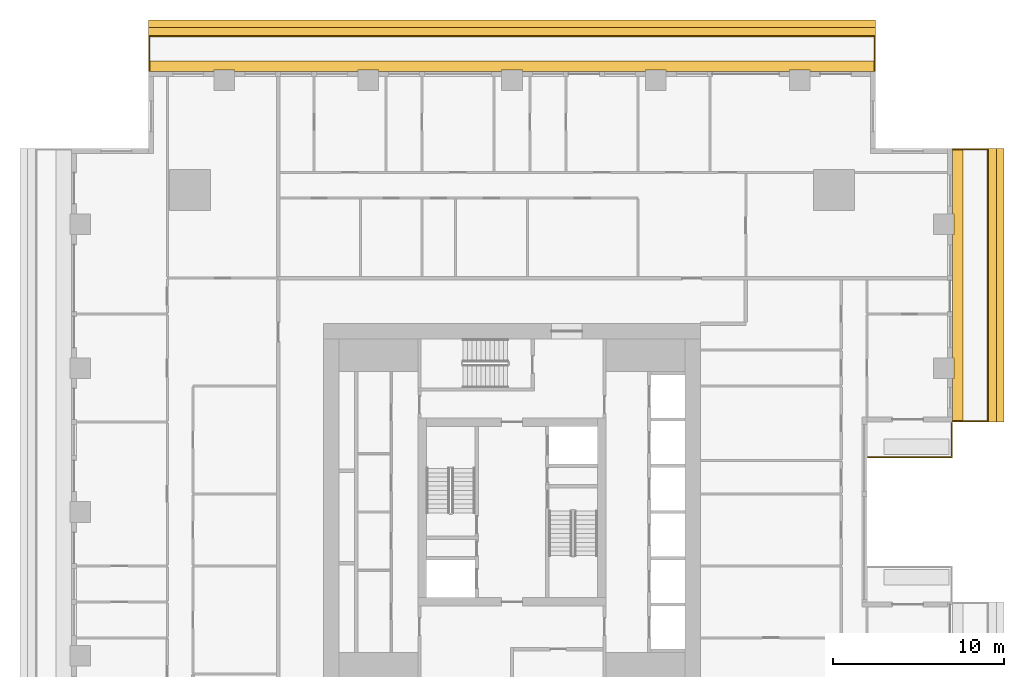
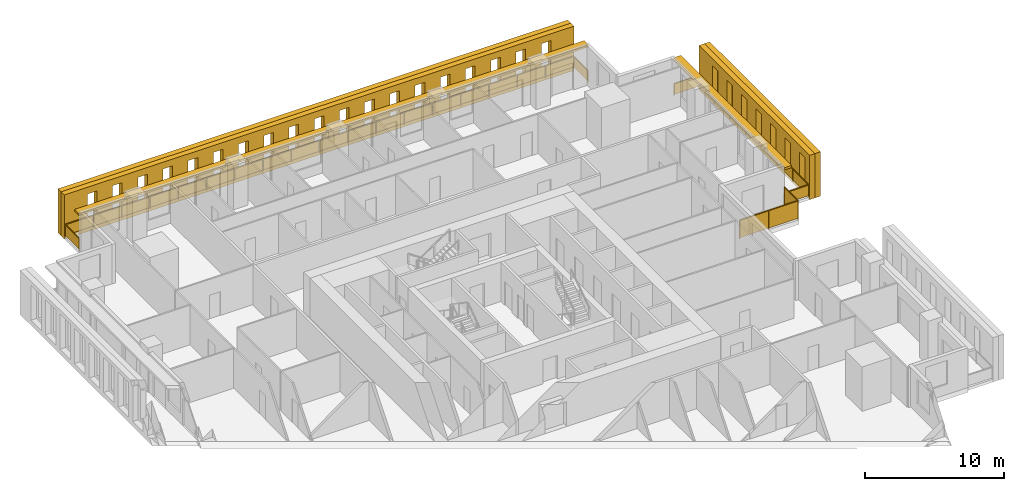
# One storey, part 15 of 15: 6 shading devices, 3 railings.
"""IFC4 building model written with IfcOpenShell, lengths in metres."""

from ifc_helpers import new_model, si_unit, direction, frame, origin, origin_2d, place, context, subcontext, project, spatial, polyline, rectangle, outline, extrude, material, layer, layer_set, type_object, element, save


model = new_model("IFC4")

# Units and contexts
model_context = context("Model", 3, precision=1e-05, world=origin(), true_north=direction((0.0, 1.0)))
body_context = subcontext(model_context, "Body", "Model", "MODEL_VIEW")
ifc_project = project(units=[si_unit("LENGTHUNIT", "METRE"), si_unit("AREAUNIT", "SQUARE_METRE"), si_unit("VOLUMEUNIT", "CUBIC_METRE"), si_unit("PLANEANGLEUNIT", "RADIAN"), si_unit("MASSUNIT", "GRAM", prefix="KILO")], contexts=[model_context])

# Site, building, storey
site_placement = place(None, origin())
site = spatial("IfcSite", under=ifc_project, at=site_placement, CompositionType="ELEMENT")
building_placement = place(site_placement, origin())
building = spatial("IfcBuilding", under=site, at=building_placement, Name="Khepri Terraces", CompositionType="ELEMENT")
storey_placement = place(building_placement, frame((0.0, 0.0, 196.199951171875)))
storey = spatial("IfcBuildingStorey", under=building, at=storey_placement, Name="L46", CompositionType="ELEMENT", Elevation=196.199951171875)

# Railings
ifc_material_1 = material(Name="Stainless steel grade 316", Category="steel")
railing_type_1 = type_object("IfcRailingType", Name="GRD-BAL-1100", PredefinedType="GUARDRAIL", material=ifc_material_1)
railing_1_placement = place(storey_placement, frame((25.719970703125, 5.300048828125, 0.0)))
element("IfcRailing", 1, at=railing_1_placement, inside=storey, type_object=railing_type_1, Name="Balcony guard L46 E", PredefinedType="GUARDRAIL", context=body_context, shape_type="SweptSolid", body=[
    extrude(rectangle(XDim=0.050048828125, YDim=0.06005859375, at=origin_2d()), frame((0.0, 0.0, 1.070068359375), z_axis=(1.0, 0.0, 0.0), x_axis=(0.0, 1.0, 0.0)), (0.0, 0.0, 1.0), 2.050048828125),
    extrude(rectangle(XDim=2.0, YDim=0.011962890625, at=origin_2d()), frame((1.02490234375, 0.0, 0.10009765625), z_axis=(0.0, 0.0, 1.0), x_axis=(1.0, 0.0, 0.0)), (0.0, 0.0, 1.0), 0.93994140625),
    extrude(rectangle(XDim=0.050048828125, YDim=0.06005859375, at=origin_2d()), frame((2.050048828125, 0.0, 1.070068359375), z_axis=(0.0, 1.0, 0.0), x_axis=(-1.0, 0.0, 0.0)), (0.0, 0.0, 1.0), 15.869873046875),
    extrude(rectangle(XDim=2.217041015625, YDim=0.011962890625, at=origin_2d()), frame((2.050048828125, 1.133544921875, 0.10009765625), z_axis=(0.0, 0.0, 1.0), x_axis=(0.0, 1.0, 0.0)), (0.0, 0.0, 1.0), 0.93994140625),
    extrude(rectangle(XDim=2.217041015625, YDim=0.011962890625, at=origin_2d()), frame((2.050048828125, 3.400634765625, 0.10009765625), z_axis=(0.0, 0.0, 1.0), x_axis=(0.0, 1.0, 0.0)), (0.0, 0.0, 1.0), 0.93994140625),
    extrude(rectangle(XDim=2.217041015625, YDim=0.011962890625, at=origin_2d()), frame((2.050048828125, 5.667724609375, 0.10009765625), z_axis=(0.0, 0.0, 1.0), x_axis=(0.0, 1.0, 0.0)), (0.0, 0.0, 1.0), 0.93994140625),
    extrude(rectangle(XDim=2.217041015625, YDim=0.011962890625, at=origin_2d()), frame((2.050048828125, 7.93505859375, 0.10009765625), z_axis=(0.0, 0.0, 1.0), x_axis=(0.0, 1.0, 0.0)), (0.0, 0.0, 1.0), 0.93994140625),
    extrude(rectangle(XDim=2.217041015625, YDim=0.011962890625, at=origin_2d()), frame((2.050048828125, 10.2021484375, 0.10009765625), z_axis=(0.0, 0.0, 1.0), x_axis=(0.0, 1.0, 0.0)), (0.0, 0.0, 1.0), 0.93994140625),
    extrude(rectangle(XDim=2.217041015625, YDim=0.011962890625, at=origin_2d()), frame((2.050048828125, 12.46923828125, 0.10009765625), z_axis=(0.0, 0.0, 1.0), x_axis=(0.0, 1.0, 0.0)), (0.0, 0.0, 1.0), 0.93994140625),
    extrude(rectangle(XDim=2.217041015625, YDim=0.011962890625, at=origin_2d()), frame((2.050048828125, 14.736328125, 0.10009765625), z_axis=(0.0, 0.0, 1.0), x_axis=(0.0, 1.0, 0.0)), (0.0, 0.0, 1.0), 0.93994140625),
    extrude(rectangle(XDim=0.050048828125, YDim=0.06005859375, at=origin_2d()), frame((2.050048828125, 15.869873046875, 1.070068359375), z_axis=(-1.0, 0.0, 0.0), x_axis=(0.0, -1.0, 0.0)), (0.0, 0.0, 1.0), 2.050048828125),
    extrude(rectangle(XDim=2.0, YDim=0.011962890625, at=origin_2d()), frame((1.02490234375, 15.869873046875, 0.10009765625), z_axis=(0.0, 0.0, 1.0), x_axis=(-1.0, 0.0, 0.0)), (0.0, 0.0, 1.0), 0.93994140625),
    extrude(rectangle(XDim=0.050048828125, YDim=0.050048828125, at=origin_2d()), origin(), (0.0, 0.0, 1.0), 1.0400390625),
    extrude(rectangle(XDim=0.050048828125, YDim=0.050048828125, at=origin_2d()), frame((2.050048828125, 0.0, 0.0)), (0.0, 0.0, 1.0), 1.0400390625),
    extrude(rectangle(XDim=0.050048828125, YDim=0.050048828125, at=origin_2d()), frame((2.050048828125, 2.26708984375, 0.0)), (0.0, 0.0, 1.0), 1.0400390625),
    extrude(rectangle(XDim=0.050048828125, YDim=0.050048828125, at=origin_2d()), frame((2.050048828125, 4.5341796875, 0.0)), (0.0, 0.0, 1.0), 1.0400390625),
    extrude(rectangle(XDim=0.050048828125, YDim=0.050048828125, at=origin_2d()), frame((2.050048828125, 6.80126953125, 0.0)), (0.0, 0.0, 1.0), 1.0400390625),
    extrude(rectangle(XDim=0.050048828125, YDim=0.050048828125, at=origin_2d()), frame((2.050048828125, 9.068603515625, 0.0)), (0.0, 0.0, 1.0), 1.0400390625),
    extrude(rectangle(XDim=0.050048828125, YDim=0.050048828125, at=origin_2d()), frame((2.050048828125, 11.335693359375, 0.0)), (0.0, 0.0, 1.0), 1.0400390625),
    extrude(rectangle(XDim=0.050048828125, YDim=0.050048828125, at=origin_2d()), frame((2.050048828125, 13.602783203125, 0.0)), (0.0, 0.0, 1.0), 1.0400390625),
    extrude(rectangle(XDim=0.050048828125, YDim=0.050048828125, at=origin_2d()), frame((2.050048828125, 15.869873046875, 0.0)), (0.0, 0.0, 1.0), 1.0400390625),
    extrude(rectangle(XDim=0.050048828125, YDim=0.050048828125, at=origin_2d()), frame((0.0, 15.869873046875, 0.0)), (0.0, 0.0, 1.0), 1.0400390625),
])
railing_2_placement = place(storey_placement, frame((21.169921875, 25.719970703125, 0.0)))
element("IfcRailing", 2, at=railing_2_placement, inside=storey, type_object=railing_type_1, Name="Balcony guard L46 N", PredefinedType="GUARDRAIL", context=body_context, shape_type="SweptSolid", body=[
    extrude(rectangle(XDim=0.050048828125, YDim=0.06005859375, at=origin_2d()), frame((0.0, 0.0, 1.070068359375), z_axis=(0.0, 1.0, 0.0), x_axis=(-1.0, 0.0, 0.0)), (0.0, 0.0, 1.0), 2.050048828125),
    extrude(rectangle(XDim=2.0, YDim=0.011962890625, at=origin_2d()), frame((0.0, 1.02490234375, 0.10009765625), z_axis=(0.0, 0.0, 1.0), x_axis=(0.0, 1.0, 0.0)), (0.0, 0.0, 1.0), 0.93994140625),
    extrude(rectangle(XDim=0.050048828125, YDim=0.06005859375, at=origin_2d()), frame((0.0, 2.050048828125, 1.070068359375), z_axis=(-1.0, 0.0, 0.0), x_axis=(0.0, -1.0, 0.0)), (0.0, 0.0, 1.0), 42.33984375),
    extrude(rectangle(XDim=2.30224609375, YDim=0.011962890625, at=origin_2d()), frame((-1.176025390625, 2.050048828125, 0.10009765625), z_axis=(0.0, 0.0, 1.0), x_axis=(-1.0, 0.0, 0.0)), (0.0, 0.0, 1.0), 0.93994140625),
    extrude(rectangle(XDim=2.30224609375, YDim=0.011962890625, at=origin_2d()), frame((-3.5283203125, 2.050048828125, 0.10009765625), z_axis=(0.0, 0.0, 1.0), x_axis=(-1.0, 0.0, 0.0)), (0.0, 0.0, 1.0), 0.93994140625),
    extrude(rectangle(XDim=2.30224609375, YDim=0.011962890625, at=origin_2d()), frame((-5.880615234375, 2.050048828125, 0.10009765625), z_axis=(0.0, 0.0, 1.0), x_axis=(-1.0, 0.0, 0.0)), (0.0, 0.0, 1.0), 0.93994140625),
    extrude(rectangle(XDim=2.30224609375, YDim=0.011962890625, at=origin_2d()), frame((-8.232666015625, 2.050048828125, 0.10009765625), z_axis=(0.0, 0.0, 1.0), x_axis=(-1.0, 0.0, 0.0)), (0.0, 0.0, 1.0), 0.93994140625),
    extrude(rectangle(XDim=2.30224609375, YDim=0.011962890625, at=origin_2d()), frame((-10.5849609375, 2.050048828125, 0.10009765625), z_axis=(0.0, 0.0, 1.0), x_axis=(-1.0, 0.0, 0.0)), (0.0, 0.0, 1.0), 0.93994140625),
    extrude(rectangle(XDim=2.30224609375, YDim=0.011962890625, at=origin_2d()), frame((-12.937255859375, 2.050048828125, 0.10009765625), z_axis=(0.0, 0.0, 1.0), x_axis=(-1.0, 0.0, 0.0)), (0.0, 0.0, 1.0), 0.93994140625),
    extrude(rectangle(XDim=2.30224609375, YDim=0.011962890625, at=origin_2d()), frame((-15.289306640625, 2.050048828125, 0.10009765625), z_axis=(0.0, 0.0, 1.0), x_axis=(-1.0, 0.0, 0.0)), (0.0, 0.0, 1.0), 0.93994140625),
    extrude(rectangle(XDim=2.30224609375, YDim=0.011962890625, at=origin_2d()), frame((-17.6416015625, 2.050048828125, 0.10009765625), z_axis=(0.0, 0.0, 1.0), x_axis=(-1.0, 0.0, 0.0)), (0.0, 0.0, 1.0), 0.93994140625),
    extrude(rectangle(XDim=2.30224609375, YDim=0.011962890625, at=origin_2d()), frame((-19.993896484375, 2.050048828125, 0.10009765625), z_axis=(0.0, 0.0, 1.0), x_axis=(-1.0, 0.0, 0.0)), (0.0, 0.0, 1.0), 0.93994140625),
    extrude(rectangle(XDim=2.30224609375, YDim=0.011962890625, at=origin_2d()), frame((-22.345947265625, 2.050048828125, 0.10009765625), z_axis=(0.0, 0.0, 1.0), x_axis=(-1.0, 0.0, 0.0)), (0.0, 0.0, 1.0), 0.93994140625),
    extrude(rectangle(XDim=2.30224609375, YDim=0.011962890625, at=origin_2d()), frame((-24.6982421875, 2.050048828125, 0.10009765625), z_axis=(0.0, 0.0, 1.0), x_axis=(-1.0, 0.0, 0.0)), (0.0, 0.0, 1.0), 0.93994140625),
    extrude(rectangle(XDim=2.30224609375, YDim=0.011962890625, at=origin_2d()), frame((-27.050537109375, 2.050048828125, 0.10009765625), z_axis=(0.0, 0.0, 1.0), x_axis=(-1.0, 0.0, 0.0)), (0.0, 0.0, 1.0), 0.93994140625),
    extrude(rectangle(XDim=2.30224609375, YDim=0.011962890625, at=origin_2d()), frame((-29.402587890625, 2.050048828125, 0.10009765625), z_axis=(0.0, 0.0, 1.0), x_axis=(-1.0, 0.0, 0.0)), (0.0, 0.0, 1.0), 0.93994140625),
    extrude(rectangle(XDim=2.30224609375, YDim=0.011962890625, at=origin_2d()), frame((-31.7548828125, 2.050048828125, 0.10009765625), z_axis=(0.0, 0.0, 1.0), x_axis=(-1.0, 0.0, 0.0)), (0.0, 0.0, 1.0), 0.93994140625),
    extrude(rectangle(XDim=2.30224609375, YDim=0.011962890625, at=origin_2d()), frame((-34.107177734375, 2.050048828125, 0.10009765625), z_axis=(0.0, 0.0, 1.0), x_axis=(-1.0, 0.0, 0.0)), (0.0, 0.0, 1.0), 0.93994140625),
    extrude(rectangle(XDim=2.30224609375, YDim=0.011962890625, at=origin_2d()), frame((-36.459228515625, 2.050048828125, 0.10009765625), z_axis=(0.0, 0.0, 1.0), x_axis=(-1.0, 0.0, 0.0)), (0.0, 0.0, 1.0), 0.93994140625),
    extrude(rectangle(XDim=2.30224609375, YDim=0.011962890625, at=origin_2d()), frame((-38.8115234375, 2.050048828125, 0.10009765625), z_axis=(0.0, 0.0, 1.0), x_axis=(-1.0, 0.0, 0.0)), (0.0, 0.0, 1.0), 0.93994140625),
    extrude(rectangle(XDim=2.30224609375, YDim=0.011962890625, at=origin_2d()), frame((-41.163818359375, 2.050048828125, 0.10009765625), z_axis=(0.0, 0.0, 1.0), x_axis=(-1.0, 0.0, 0.0)), (0.0, 0.0, 1.0), 0.93994140625),
    extrude(rectangle(XDim=0.050048828125, YDim=0.06005859375, at=origin_2d()), frame((-42.33984375, 2.050048828125, 1.070068359375), z_axis=(0.0, -1.0, 0.0), x_axis=(1.0, 0.0, 0.0)), (0.0, 0.0, 1.0), 2.050048828125),
    extrude(rectangle(XDim=2.0, YDim=0.011962890625, at=origin_2d()), frame((-42.33984375, 1.02490234375, 0.10009765625), z_axis=(0.0, 0.0, 1.0), x_axis=(0.0, -1.0, 0.0)), (0.0, 0.0, 1.0), 0.93994140625),
    extrude(rectangle(XDim=0.050048828125, YDim=0.050048828125, at=origin_2d()), origin(), (0.0, 0.0, 1.0), 1.0400390625),
    extrude(rectangle(XDim=0.050048828125, YDim=0.050048828125, at=origin_2d()), frame((0.0, 2.050048828125, 0.0)), (0.0, 0.0, 1.0), 1.0400390625),
    extrude(rectangle(XDim=0.050048828125, YDim=0.050048828125, at=origin_2d()), frame((-2.352294921875, 2.050048828125, 0.0)), (0.0, 0.0, 1.0), 1.0400390625),
    extrude(rectangle(XDim=0.050048828125, YDim=0.050048828125, at=origin_2d()), frame((-4.704345703125, 2.050048828125, 0.0)), (0.0, 0.0, 1.0), 1.0400390625),
    extrude(rectangle(XDim=0.050048828125, YDim=0.050048828125, at=origin_2d()), frame((-7.056640625, 2.050048828125, 0.0)), (0.0, 0.0, 1.0), 1.0400390625),
    extrude(rectangle(XDim=0.050048828125, YDim=0.050048828125, at=origin_2d()), frame((-9.408935546875, 2.050048828125, 0.0)), (0.0, 0.0, 1.0), 1.0400390625),
    extrude(rectangle(XDim=0.050048828125, YDim=0.050048828125, at=origin_2d()), frame((-11.760986328125, 2.050048828125, 0.0)), (0.0, 0.0, 1.0), 1.0400390625),
    extrude(rectangle(XDim=0.050048828125, YDim=0.050048828125, at=origin_2d()), frame((-14.11328125, 2.050048828125, 0.0)), (0.0, 0.0, 1.0), 1.0400390625),
    extrude(rectangle(XDim=0.050048828125, YDim=0.050048828125, at=origin_2d()), frame((-16.465576171875, 2.050048828125, 0.0)), (0.0, 0.0, 1.0), 1.0400390625),
    extrude(rectangle(XDim=0.050048828125, YDim=0.050048828125, at=origin_2d()), frame((-18.817626953125, 2.050048828125, 0.0)), (0.0, 0.0, 1.0), 1.0400390625),
    extrude(rectangle(XDim=0.050048828125, YDim=0.050048828125, at=origin_2d()), frame((-21.169921875, 2.050048828125, 0.0)), (0.0, 0.0, 1.0), 1.0400390625),
    extrude(rectangle(XDim=0.050048828125, YDim=0.050048828125, at=origin_2d()), frame((-23.522216796875, 2.050048828125, 0.0)), (0.0, 0.0, 1.0), 1.0400390625),
    extrude(rectangle(XDim=0.050048828125, YDim=0.050048828125, at=origin_2d()), frame((-25.874267578125, 2.050048828125, 0.0)), (0.0, 0.0, 1.0), 1.0400390625),
    extrude(rectangle(XDim=0.050048828125, YDim=0.050048828125, at=origin_2d()), frame((-28.2265625, 2.050048828125, 0.0)), (0.0, 0.0, 1.0), 1.0400390625),
    extrude(rectangle(XDim=0.050048828125, YDim=0.050048828125, at=origin_2d()), frame((-30.578857421875, 2.050048828125, 0.0)), (0.0, 0.0, 1.0), 1.0400390625),
    extrude(rectangle(XDim=0.050048828125, YDim=0.050048828125, at=origin_2d()), frame((-32.930908203125, 2.050048828125, 0.0)), (0.0, 0.0, 1.0), 1.0400390625),
    extrude(rectangle(XDim=0.050048828125, YDim=0.050048828125, at=origin_2d()), frame((-35.283203125, 2.050048828125, 0.0)), (0.0, 0.0, 1.0), 1.0400390625),
    extrude(rectangle(XDim=0.050048828125, YDim=0.050048828125, at=origin_2d()), frame((-37.635498046875, 2.050048828125, 0.0)), (0.0, 0.0, 1.0), 1.0400390625),
    extrude(rectangle(XDim=0.050048828125, YDim=0.050048828125, at=origin_2d()), frame((-39.987548828125, 2.050048828125, 0.0)), (0.0, 0.0, 1.0), 1.0400390625),
    extrude(rectangle(XDim=0.050048828125, YDim=0.050048828125, at=origin_2d()), frame((-42.33984375, 2.050048828125, 0.0)), (0.0, 0.0, 1.0), 1.0400390625),
    extrude(rectangle(XDim=0.050048828125, YDim=0.050048828125, at=origin_2d()), frame((-42.33984375, 0.0, 0.0)), (0.0, 0.0, 1.0), 1.0400390625),
])
railing_type_2 = type_object("IfcRailingType", Name="GRD-TERR-1700", PredefinedType="GUARDRAIL", material=ifc_material_1)
railing_3_placement = place(storey_placement, frame((25.669921875, 5.179931640625, 0.0)))
element("IfcRailing", 3, at=railing_3_placement, inside=storey, type_object=railing_type_2, Name="Terrace guard L46", PredefinedType="GUARDRAIL", context=body_context, shape_type="SweptSolid", body=[
    extrude(rectangle(XDim=0.050048828125, YDim=0.06005859375, at=origin_2d()), frame((0.0, 0.0, 1.669921875), z_axis=(0.0, -1.0, 0.0), x_axis=(1.0, 0.0, 0.0)), (0.0, 0.0, 1.0), 1.97998046875),
    extrude(rectangle(XDim=1.929931640625, YDim=0.011962890625, at=origin_2d()), frame((0.0, -0.989990234375, 0.10009765625), z_axis=(0.0, 0.0, 1.0), x_axis=(0.0, -1.0, 0.0)), (0.0, 0.0, 1.0), 1.539794921875),
    extrude(rectangle(XDim=0.050048828125, YDim=0.06005859375, at=origin_2d()), frame((0.0, -1.97998046875, 1.669921875), z_axis=(-1.0, 0.0, 0.0), x_axis=(0.0, -1.0, 0.0)), (0.0, 0.0, 1.0), 4.8798828125),
    extrude(rectangle(XDim=2.389892578125, YDim=0.011962890625, at=origin_2d()), frame((-1.219970703125, -1.97998046875, 0.10009765625), z_axis=(0.0, 0.0, 1.0), x_axis=(-1.0, 0.0, 0.0)), (0.0, 0.0, 1.0), 1.539794921875),
    extrude(rectangle(XDim=2.389892578125, YDim=0.011962890625, at=origin_2d()), frame((-3.659912109375, -1.97998046875, 0.10009765625), z_axis=(0.0, 0.0, 1.0), x_axis=(-1.0, 0.0, 0.0)), (0.0, 0.0, 1.0), 1.539794921875),
    extrude(rectangle(XDim=0.050048828125, YDim=0.050048828125, at=origin_2d()), origin(), (0.0, 0.0, 1.0), 1.639892578125),
    extrude(rectangle(XDim=0.050048828125, YDim=0.050048828125, at=origin_2d()), frame((0.0, -1.97998046875, 0.0)), (0.0, 0.0, 1.0), 1.639892578125),
    extrude(rectangle(XDim=0.050048828125, YDim=0.050048828125, at=origin_2d()), frame((-2.43994140625, -1.97998046875, 0.0)), (0.0, 0.0, 1.0), 1.639892578125),
    extrude(rectangle(XDim=0.050048828125, YDim=0.050048828125, at=origin_2d()), frame((-4.8798828125, -1.97998046875, 0.0)), (0.0, 0.0, 1.0), 1.639892578125),
])

# Shading devices
ifc_material_2 = material(Name="Precast concrete C50/60 warm stone", Category="masonry")
shading_device_type_1 = type_object("IfcShadingDeviceType", Name="SCR-CELL-INNER-450", PredefinedType="USERDEFINED", material=ifc_material_2)
shading_device_1_placement = place(storey_placement, frame((27.820068359375, 5.25, -0.25), z_axis=(1.0, 0.0, 0.0), x_axis=(0.0, 1.0, 0.0)))
element("IfcShadingDevice", 4, at=shading_device_1_placement, inside=storey, type_object=shading_device_type_1, Name="Cell screen L46 E in", ObjectType="SCREEN", PredefinedType="USERDEFINED", context=body_context, shape_type="SweptSolid", body=[
    extrude(outline(polyline([(0.0, 0.0), (15.969970703125, 0.0), (15.969970703125, 3.89990234375), (0.0, 3.89990234375), (0.0, 0.0)]), holes=[polyline([(0.6484375, 0.699951171875), (1.45166015625, 0.699951171875), (1.45166015625, 3.300048828125), (0.6484375, 3.300048828125), (0.6484375, 0.699951171875)]), polyline([(2.748291015625, 0.699951171875), (3.551513671875, 0.699951171875), (3.551513671875, 3.300048828125), (2.748291015625, 3.300048828125), (2.748291015625, 0.699951171875)]), polyline([(4.848388671875, 0.699951171875), (5.651611328125, 0.699951171875), (5.651611328125, 3.300048828125), (4.848388671875, 3.300048828125), (4.848388671875, 0.699951171875)]), polyline([(6.948486328125, 0.699951171875), (7.751708984375, 0.699951171875), (7.751708984375, 3.300048828125), (6.948486328125, 3.300048828125), (6.948486328125, 0.699951171875)]), polyline([(9.04833984375, 0.699951171875), (9.8515625, 0.699951171875), (9.8515625, 3.300048828125), (9.04833984375, 3.300048828125), (9.04833984375, 0.699951171875)]), polyline([(11.1484375, 0.699951171875), (11.95166015625, 0.699951171875), (11.95166015625, 3.300048828125), (11.1484375, 3.300048828125), (11.1484375, 0.699951171875)]), polyline([(13.248291015625, 0.699951171875), (14.051513671875, 0.699951171875), (14.051513671875, 3.300048828125), (13.248291015625, 3.300048828125), (13.248291015625, 0.699951171875)])]), origin(), (0.0, 0.0, 1.0), 0.449951171875),
])
shading_device_2_placement = place(storey_placement, frame((21.219970703125, 27.820068359375, -0.25), z_axis=(0.0, 1.0, 0.0), x_axis=(-1.0, 0.0, 0.0)))
element("IfcShadingDevice", 5, at=shading_device_2_placement, inside=storey, type_object=shading_device_type_1, Name="Cell screen L46 N in", ObjectType="SCREEN", PredefinedType="USERDEFINED", context=body_context, shape_type="SweptSolid", body=[
    extrude(outline(polyline([(0.0, 0.0), (42.43994140625, 0.0), (42.43994140625, 3.89990234375), (0.0, 3.89990234375), (0.0, 0.0)]), holes=[polyline([(1.91845703125, 0.699951171875), (2.7216796875, 0.699951171875), (2.7216796875, 3.300048828125), (1.91845703125, 3.300048828125), (1.91845703125, 0.699951171875)]), polyline([(4.018310546875, 0.699951171875), (4.821533203125, 0.699951171875), (4.821533203125, 3.300048828125), (4.018310546875, 3.300048828125), (4.018310546875, 0.699951171875)]), polyline([(6.118408203125, 0.699951171875), (6.921630859375, 0.699951171875), (6.921630859375, 3.300048828125), (6.118408203125, 3.300048828125), (6.118408203125, 0.699951171875)]), polyline([(8.218505859375, 0.699951171875), (9.021484375, 0.699951171875), (9.021484375, 3.300048828125), (8.218505859375, 3.300048828125), (8.218505859375, 0.699951171875)]), polyline([(10.318359375, 0.699951171875), (11.12158203125, 0.699951171875), (11.12158203125, 3.300048828125), (10.318359375, 3.300048828125), (10.318359375, 0.699951171875)]), polyline([(12.41845703125, 0.699951171875), (13.2216796875, 0.699951171875), (13.2216796875, 3.300048828125), (12.41845703125, 3.300048828125), (12.41845703125, 0.699951171875)]), polyline([(14.518310546875, 0.699951171875), (15.321533203125, 0.699951171875), (15.321533203125, 3.300048828125), (14.518310546875, 3.300048828125), (14.518310546875, 0.699951171875)]), polyline([(16.618408203125, 0.699951171875), (17.421630859375, 0.699951171875), (17.421630859375, 3.300048828125), (16.618408203125, 3.300048828125), (16.618408203125, 0.699951171875)]), polyline([(18.718505859375, 0.699951171875), (19.521484375, 0.699951171875), (19.521484375, 3.300048828125), (18.718505859375, 3.300048828125), (18.718505859375, 0.699951171875)]), polyline([(20.818359375, 0.699951171875), (21.62158203125, 0.699951171875), (21.62158203125, 3.300048828125), (20.818359375, 3.300048828125), (20.818359375, 0.699951171875)]), polyline([(22.91845703125, 0.699951171875), (23.7216796875, 0.699951171875), (23.7216796875, 3.300048828125), (22.91845703125, 3.300048828125), (22.91845703125, 0.699951171875)]), polyline([(25.018310546875, 0.699951171875), (25.821533203125, 0.699951171875), (25.821533203125, 3.300048828125), (25.018310546875, 3.300048828125), (25.018310546875, 0.699951171875)]), polyline([(27.118408203125, 0.699951171875), (27.921630859375, 0.699951171875), (27.921630859375, 3.300048828125), (27.118408203125, 3.300048828125), (27.118408203125, 0.699951171875)]), polyline([(29.218505859375, 0.699951171875), (30.021484375, 0.699951171875), (30.021484375, 3.300048828125), (29.218505859375, 3.300048828125), (29.218505859375, 0.699951171875)]), polyline([(31.318359375, 0.699951171875), (32.12158203125, 0.699951171875), (32.12158203125, 3.300048828125), (31.318359375, 3.300048828125), (31.318359375, 0.699951171875)]), polyline([(33.41845703125, 0.699951171875), (34.2216796875, 0.699951171875), (34.2216796875, 3.300048828125), (33.41845703125, 3.300048828125), (33.41845703125, 0.699951171875)]), polyline([(35.518310546875, 0.699951171875), (36.321533203125, 0.699951171875), (36.321533203125, 3.300048828125), (35.518310546875, 3.300048828125), (35.518310546875, 0.699951171875)]), polyline([(37.618408203125, 0.699951171875), (38.421630859375, 0.699951171875), (38.421630859375, 3.300048828125), (37.618408203125, 3.300048828125), (37.618408203125, 0.699951171875)]), polyline([(39.718505859375, 0.699951171875), (40.521484375, 0.699951171875), (40.521484375, 3.300048828125), (39.718505859375, 3.300048828125), (39.718505859375, 0.699951171875)])]), origin(), (0.0, 0.0, 1.0), 0.449951171875),
])
shading_device_type_2 = type_object("IfcShadingDeviceType", Name="SCR-CELL-OUTER-450", PredefinedType="USERDEFINED", material=ifc_material_2)
shading_device_3_placement = place(storey_placement, frame((28.27001953125, 5.25, -0.25), z_axis=(1.0, 0.0, 0.0), x_axis=(0.0, 1.0, 0.0)))
element("IfcShadingDevice", 6, at=shading_device_3_placement, inside=storey, type_object=shading_device_type_2, Name="Cell screen L46 E out", ObjectType="SCREEN", PredefinedType="USERDEFINED", context=body_context, shape_type="SweptSolid", body=[
    extrude(outline(polyline([(0.0, 0.0), (15.969970703125, 0.0), (15.969970703125, 3.89990234375), (0.0, 3.89990234375), (0.0, 0.0)]), holes=[polyline([(0.29833984375, 0.449951171875), (1.801513671875, 0.449951171875), (1.801513671875, 3.550048828125), (0.29833984375, 3.550048828125), (0.29833984375, 0.449951171875)]), polyline([(2.3984375, 0.449951171875), (3.901611328125, 0.449951171875), (3.901611328125, 3.550048828125), (2.3984375, 3.550048828125), (2.3984375, 0.449951171875)]), polyline([(4.498291015625, 0.449951171875), (6.001708984375, 0.449951171875), (6.001708984375, 3.550048828125), (4.498291015625, 3.550048828125), (4.498291015625, 0.449951171875)]), polyline([(6.598388671875, 0.449951171875), (8.1015625, 0.449951171875), (8.1015625, 3.550048828125), (6.598388671875, 3.550048828125), (6.598388671875, 0.449951171875)]), polyline([(8.698486328125, 0.449951171875), (10.20166015625, 0.449951171875), (10.20166015625, 3.550048828125), (8.698486328125, 3.550048828125), (8.698486328125, 0.449951171875)]), polyline([(10.79833984375, 0.449951171875), (12.301513671875, 0.449951171875), (12.301513671875, 3.550048828125), (10.79833984375, 3.550048828125), (10.79833984375, 0.449951171875)]), polyline([(12.8984375, 0.449951171875), (14.401611328125, 0.449951171875), (14.401611328125, 3.550048828125), (12.8984375, 3.550048828125), (12.8984375, 0.449951171875)])]), origin(), (0.0, 0.0, 1.0), 0.449951171875),
])
shading_device_4_placement = place(storey_placement, frame((21.219970703125, 28.27001953125, -0.25), z_axis=(0.0, 1.0, 0.0), x_axis=(-1.0, 0.0, 0.0)))
element("IfcShadingDevice", 7, at=shading_device_4_placement, inside=storey, type_object=shading_device_type_2, Name="Cell screen L46 N out", ObjectType="SCREEN", PredefinedType="USERDEFINED", context=body_context, shape_type="SweptSolid", body=[
    extrude(outline(polyline([(0.0, 0.0), (42.43994140625, 0.0), (42.43994140625, 3.89990234375), (0.0, 3.89990234375), (0.0, 0.0)]), holes=[polyline([(1.568359375, 0.449951171875), (3.071533203125, 0.449951171875), (3.071533203125, 3.550048828125), (1.568359375, 3.550048828125), (1.568359375, 0.449951171875)]), polyline([(3.66845703125, 0.449951171875), (5.171630859375, 0.449951171875), (5.171630859375, 3.550048828125), (3.66845703125, 3.550048828125), (3.66845703125, 0.449951171875)]), polyline([(5.768310546875, 0.449951171875), (7.271484375, 0.449951171875), (7.271484375, 3.550048828125), (5.768310546875, 3.550048828125), (5.768310546875, 0.449951171875)]), polyline([(7.868408203125, 0.449951171875), (9.37158203125, 0.449951171875), (9.37158203125, 3.550048828125), (7.868408203125, 3.550048828125), (7.868408203125, 0.449951171875)]), polyline([(9.968505859375, 0.449951171875), (11.4716796875, 0.449951171875), (11.4716796875, 3.550048828125), (9.968505859375, 3.550048828125), (9.968505859375, 0.449951171875)]), polyline([(12.068359375, 0.449951171875), (13.571533203125, 0.449951171875), (13.571533203125, 3.550048828125), (12.068359375, 3.550048828125), (12.068359375, 0.449951171875)]), polyline([(14.16845703125, 0.449951171875), (15.671630859375, 0.449951171875), (15.671630859375, 3.550048828125), (14.16845703125, 3.550048828125), (14.16845703125, 0.449951171875)]), polyline([(16.268310546875, 0.449951171875), (17.771484375, 0.449951171875), (17.771484375, 3.550048828125), (16.268310546875, 3.550048828125), (16.268310546875, 0.449951171875)]), polyline([(18.368408203125, 0.449951171875), (19.87158203125, 0.449951171875), (19.87158203125, 3.550048828125), (18.368408203125, 3.550048828125), (18.368408203125, 0.449951171875)]), polyline([(20.468505859375, 0.449951171875), (21.9716796875, 0.449951171875), (21.9716796875, 3.550048828125), (20.468505859375, 3.550048828125), (20.468505859375, 0.449951171875)]), polyline([(22.568359375, 0.449951171875), (24.071533203125, 0.449951171875), (24.071533203125, 3.550048828125), (22.568359375, 3.550048828125), (22.568359375, 0.449951171875)]), polyline([(24.66845703125, 0.449951171875), (26.171630859375, 0.449951171875), (26.171630859375, 3.550048828125), (24.66845703125, 3.550048828125), (24.66845703125, 0.449951171875)]), polyline([(26.768310546875, 0.449951171875), (28.271484375, 0.449951171875), (28.271484375, 3.550048828125), (26.768310546875, 3.550048828125), (26.768310546875, 0.449951171875)]), polyline([(28.868408203125, 0.449951171875), (30.37158203125, 0.449951171875), (30.37158203125, 3.550048828125), (28.868408203125, 3.550048828125), (28.868408203125, 0.449951171875)]), polyline([(30.968505859375, 0.449951171875), (32.4716796875, 0.449951171875), (32.4716796875, 3.550048828125), (30.968505859375, 3.550048828125), (30.968505859375, 0.449951171875)]), polyline([(33.068359375, 0.449951171875), (34.571533203125, 0.449951171875), (34.571533203125, 3.550048828125), (33.068359375, 3.550048828125), (33.068359375, 0.449951171875)]), polyline([(35.16845703125, 0.449951171875), (36.671630859375, 0.449951171875), (36.671630859375, 3.550048828125), (35.16845703125, 3.550048828125), (35.16845703125, 0.449951171875)]), polyline([(37.268310546875, 0.449951171875), (38.771484375, 0.449951171875), (38.771484375, 3.550048828125), (37.268310546875, 3.550048828125), (37.268310546875, 0.449951171875)]), polyline([(39.368408203125, 0.449951171875), (40.87158203125, 0.449951171875), (40.87158203125, 3.550048828125), (39.368408203125, 3.550048828125), (39.368408203125, 0.449951171875)])]), origin(), (0.0, 0.0, 1.0), 0.449951171875),
])
ifc_layer = layer(ifc_material_2, 0.199951171875, Name="Precast concrete C50/60 warm stone", Category="masonry")
ifc_layer_set = layer_set([ifc_layer], Name="Precast concrete C50/60 warm stone")
shading_device_type_3 = type_object("IfcShadingDeviceType", Name="SSH-BAND-STONE-200-N", PredefinedType="USERDEFINED", material=ifc_layer_set)
shading_device_5_placement = place(storey_placement, frame((0.0, 0.0, 3.10009765625)))
element("IfcShadingDevice", 8, at=shading_device_5_placement, inside=storey, type_object=shading_device_type_3, Name="Sunshade band L46 E", ObjectType="SUNSHADE", PredefinedType="USERDEFINED", context=body_context, shape_type="SweptSolid", body=[
    extrude(outline(polyline([(25.719970703125, 7.800048828125), (25.719970703125, 5.25), (26.320068359375, 5.25), (26.320068359375, 21.219970703125), (25.719970703125, 21.219970703125), (25.719970703125, 17.39990234375), (25.800048828125, 17.39990234375), (25.800048828125, 16.199951171875), (25.719970703125, 16.199951171875), (25.719970703125, 9.0), (25.800048828125, 9.0), (25.800048828125, 7.800048828125), (25.719970703125, 7.800048828125)])), origin(), (0.0, 0.0, 1.0), 0.199951171875),
])
shading_device_6_placement = place(storey_placement, frame((0.0, 0.0, 3.10009765625)))
element("IfcShadingDevice", 9, at=shading_device_6_placement, inside=storey, type_object=shading_device_type_3, Name="Sunshade band L46 N", ObjectType="SUNSHADE", PredefinedType="USERDEFINED", context=body_context, shape_type="SweptSolid", body=[
    extrude(outline(polyline([(17.39990234375, 25.719970703125), (21.219970703125, 25.719970703125), (21.219970703125, 26.320068359375), (-21.219970703125, 26.320068359375), (-21.219970703125, 25.719970703125), (-17.39990234375, 25.719970703125), (-17.39990234375, 25.800048828125), (-16.199951171875, 25.800048828125), (-16.199951171875, 25.719970703125), (-9.0, 25.719970703125), (-9.0, 25.800048828125), (-7.800048828125, 25.800048828125), (-7.800048828125, 25.719970703125), (-0.60009765625, 25.719970703125), (-0.60009765625, 25.800048828125), (0.60009765625, 25.800048828125), (0.60009765625, 25.719970703125), (7.800048828125, 25.719970703125), (7.800048828125, 25.800048828125), (9.0, 25.800048828125), (9.0, 25.719970703125), (16.199951171875, 25.719970703125), (16.199951171875, 25.800048828125), (17.39990234375, 25.800048828125), (17.39990234375, 25.719970703125)])), origin(), (0.0, 0.0, 1.0), 0.199951171875),
])

save(model, "model.ifc")
